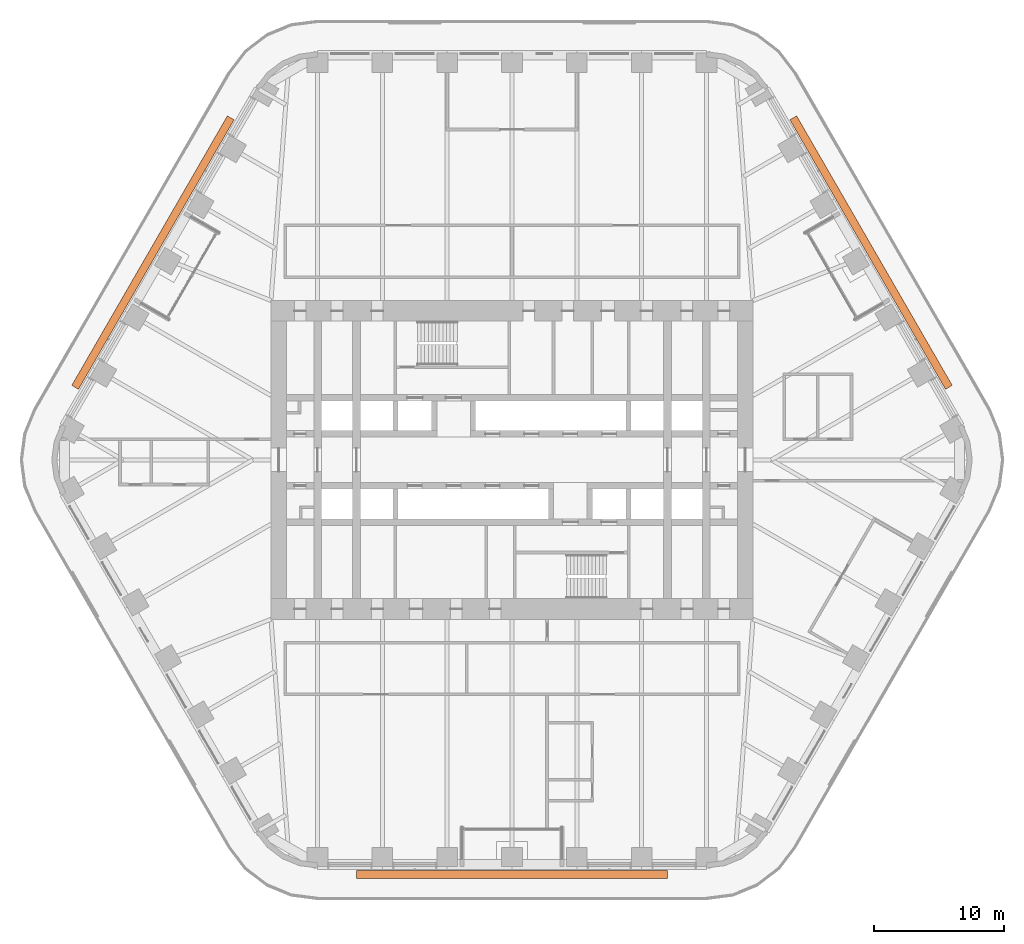
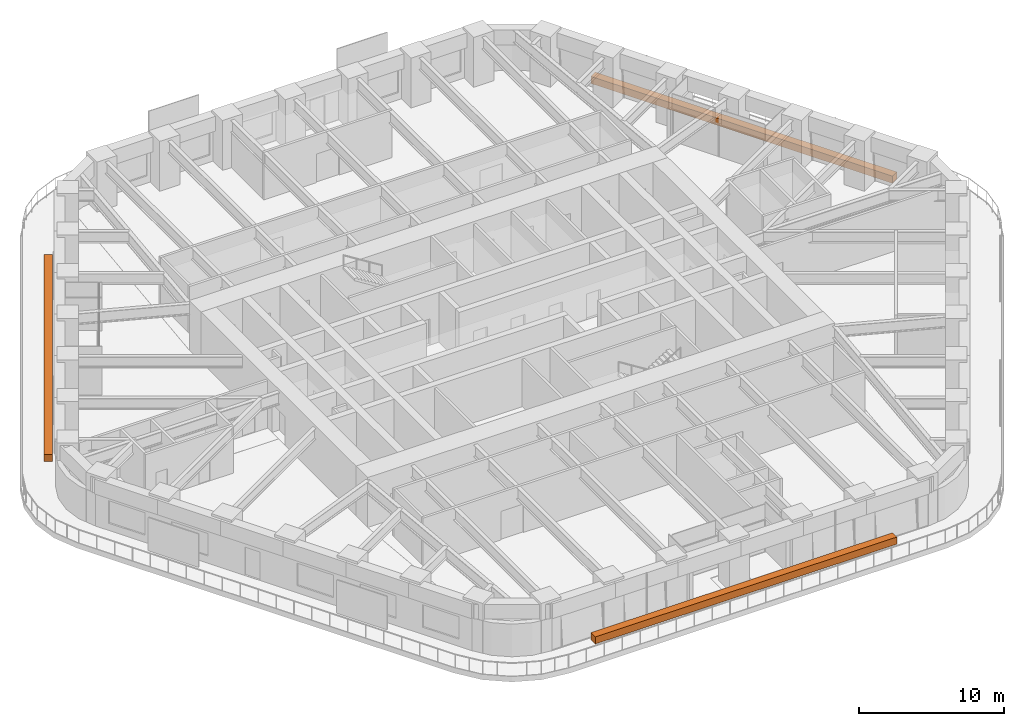
# One storey, part 24 of 24: 3 proxies.
"""IFC4 building model written with IfcOpenShell, lengths in metres."""

from ifc_helpers import new_model, si_unit, direction, frame, origin, origin_2d, place, context, subcontext, project, spatial, rectangle, extrude, material, element, save


model = new_model("IFC4")

# Units and contexts
model_context = context("Model", 3, precision=1e-05, world=origin(), true_north=direction((0.0, 1.0)))
body_context = subcontext(model_context, "Body", "Model", "MODEL_VIEW")
ifc_project = project(units=[si_unit("LENGTHUNIT", "METRE"), si_unit("AREAUNIT", "SQUARE_METRE"), si_unit("VOLUMEUNIT", "CUBIC_METRE"), si_unit("PLANEANGLEUNIT", "RADIAN"), si_unit("MASSUNIT", "GRAM", prefix="KILO")], contexts=[model_context])

# Site, building, storey
site_placement = place(None, origin())
site = spatial("IfcSite", under=ifc_project, at=site_placement, CompositionType="ELEMENT")
building_placement = place(site_placement, origin())
building = spatial("IfcBuilding", under=site, at=building_placement, Name="Tarfa Lantern Tower", CompositionType="ELEMENT")
storey_placement = place(building_placement, frame((0.0, 0.0, 153.10009765625)))
storey = spatial("IfcBuildingStorey", under=building, at=storey_placement, Name="L34", CompositionType="ELEMENT", Elevation=153.10009765625)

# Proxies
ifc_material = material(Name="Planting bed")
for number, where, z_axis, x_axis, name in (
    (1, (27.712890625, 16.0, -0.000244140625), (0.0, 0.0, 1.0), (-0.5, 0.866025403784, 0.0), "Balcony planter"),
    (2, (-27.712890625, 16.0, -0.000244140625), (0.0, 0.0, 1.0), (-0.5, -0.866025403784, 0.0), "Balcony planter"),
    (3, (0.0, -32.0, -0.000244140625), (0.0, 0.0, 1.0), (1.0, 0.0, 0.0), "Balcony planter"),
):
    element("IfcBuildingElementProxy", number, at=place(storey_placement, frame(where, z_axis=z_axis, x_axis=x_axis)), inside=storey, material=ifc_material, Name=name, ObjectType="PLANTER", PredefinedType="USERDEFINED", context=body_context, shape_type="SweptSolid", body=[
        extrude(rectangle(XDim=24.017822265625, YDim=0.60009765625, at=origin_2d()), origin(), (0.0, 0.0, 1.0), 0.60009765625),
    ])

save(model, "model.ifc")
